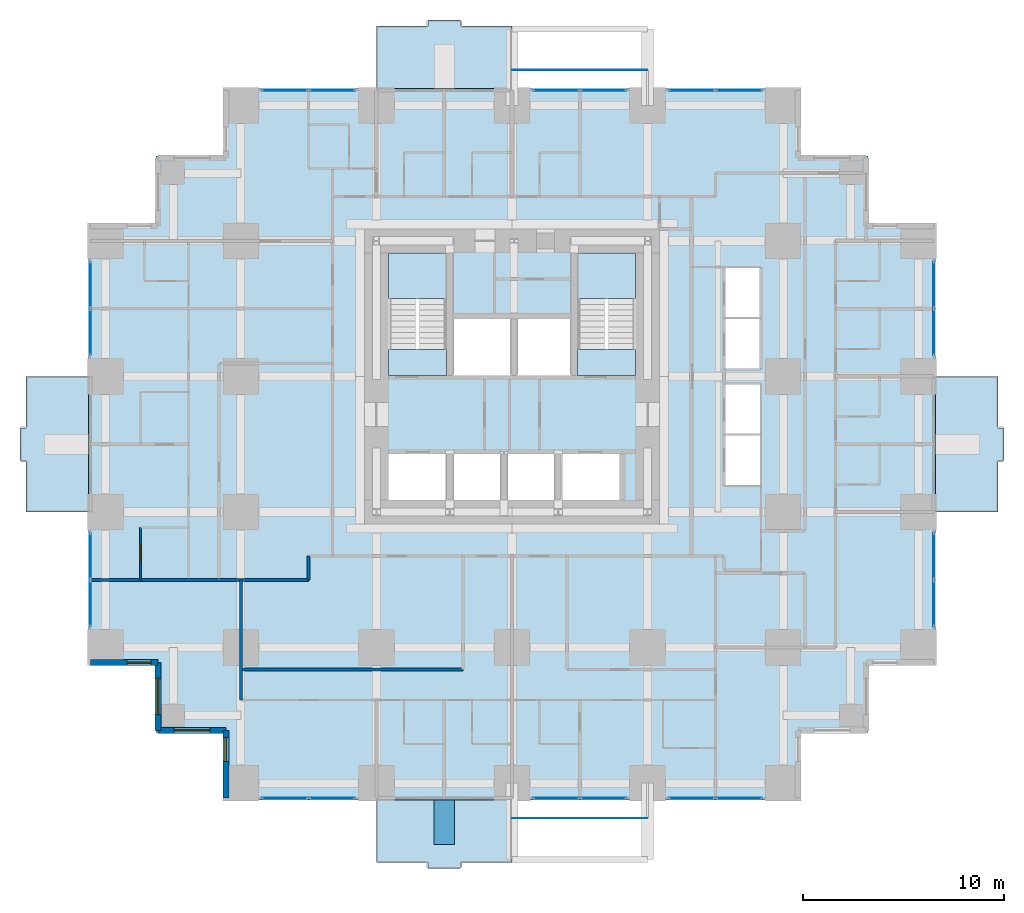
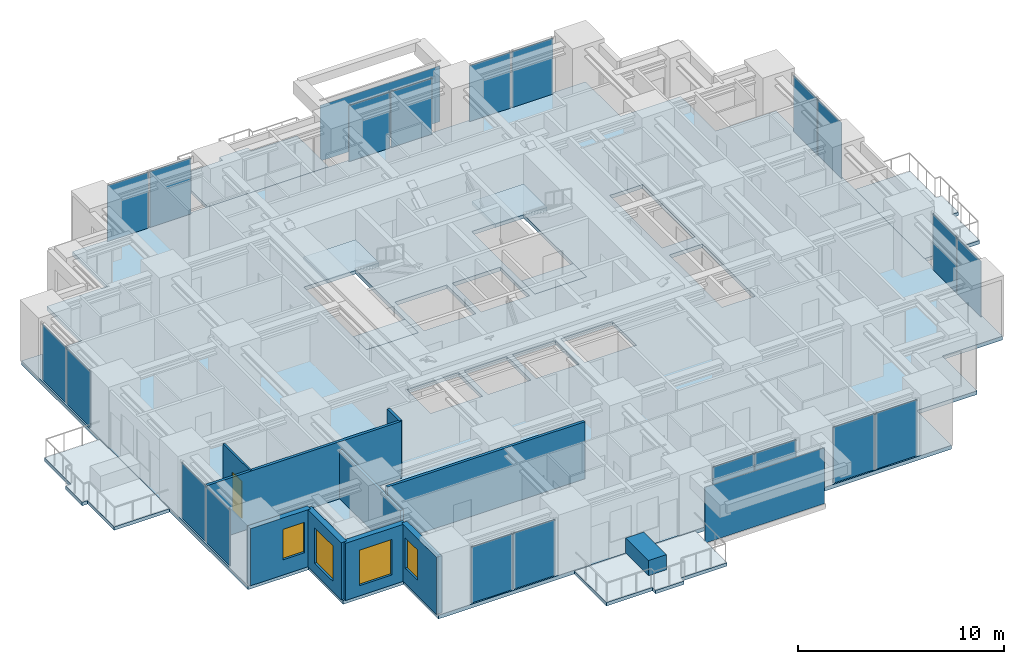
# One storey, part 6 of 13: 22 plates, 10 walls, 9 slabs, 4 windows, 1 door, 5 openings, 12 elements without a shape of their own.
"""IFC4 building model written with IfcOpenShell, lengths in metres."""

from ifc_helpers import new_model, si_unit, direction, frame, frame_2d, origin, origin_2d, place, context, subcontext, project, spatial, polyline, rectangle, outline, extrude, material, layer, layer_set, type_object, element, fill, aggregate, save


model = new_model("IFC4")

# Units and contexts
model_context = context("Model", 3, precision=1e-05, world=origin(), true_north=direction((0.0, 1.0)))
body_context = subcontext(model_context, "Body", "Model", "MODEL_VIEW")
ifc_project = project(units=[si_unit("LENGTHUNIT", "METRE"), si_unit("AREAUNIT", "SQUARE_METRE"), si_unit("VOLUMEUNIT", "CUBIC_METRE"), si_unit("PLANEANGLEUNIT", "RADIAN"), si_unit("MASSUNIT", "GRAM", prefix="KILO")], contexts=[model_context])

# Site, building, storey
site_placement = place(None, origin())
site = spatial("IfcSite", under=ifc_project, at=site_placement, CompositionType="ELEMENT")
building_placement = place(site_placement, origin())
building = spatial("IfcBuilding", under=site, at=building_placement, Name="Nyansa Garden Tower", CompositionType="ELEMENT")
storey_placement = place(building_placement, frame((0.0, 0.0, 101.699951171875)))
storey = spatial("IfcBuildingStorey", under=building, at=storey_placement, Name="L27", CompositionType="ELEMENT", Elevation=101.699951171875)

# Slabs
ifc_material_1 = material(Name="Concrete C40/50", Category="concrete")
ifc_layer_1 = layer(ifc_material_1, 0.199951171875)
ifc_layer_set_1 = layer_set([ifc_layer_1], Name="Balcony slab BS200")
slab_type_1 = type_object("IfcSlabType", Name="Balcony slab BS200", PredefinedType="FLOOR", material=ifc_layer_set_1)
slab_1_placement = place(storey_placement, frame((0.0, 0.0, -0.239990234375)))
element("IfcSlab", 1, at=slab_1_placement, inside=storey, type_object=slab_type_1, Name="Balcony L27 S", PredefinedType="FLOOR", context=body_context, shape_type="SweptSolid", body=[
    extrude(outline(polyline([(13.5, -0.85009765625), (20.25, -0.85009765625), (20.25, -3.949951171875), (17.675048828125, -3.949951171875), (17.675048828125, -4.25), (16.074951171875, -4.25), (16.074951171875, -3.949951171875), (13.5, -3.949951171875), (13.5, -0.85009765625)])), origin(), (0.0, 0.0, 1.0), 0.199951171875),
])
slab_2_placement = place(storey_placement, frame((0.0, 0.0, -0.239990234375)))
element("IfcSlab", 2, at=slab_2_placement, inside=storey, type_object=slab_type_1, Name="Balcony L27 E", PredefinedType="FLOOR", context=body_context, shape_type="SweptSolid", body=[
    extrude(outline(polyline([(41.35009765625, 13.5), (41.35009765625, 20.25), (44.449951171875, 20.25), (44.449951171875, 17.675048828125), (44.75, 17.675048828125), (44.75, 16.074951171875), (44.449951171875, 16.074951171875), (44.449951171875, 13.5), (41.35009765625, 13.5)])), origin(), (0.0, 0.0, 1.0), 0.199951171875),
])
slab_3_placement = place(storey_placement, frame((0.0, 0.0, -0.239990234375)))
element("IfcSlab", 3, at=slab_3_placement, inside=storey, type_object=slab_type_1, Name="Balcony L27 N", PredefinedType="FLOOR", context=body_context, shape_type="SweptSolid", body=[
    extrude(outline(polyline([(13.5, 34.60009765625), (20.25, 34.60009765625), (20.25, 37.699951171875), (17.675048828125, 37.699951171875), (17.675048828125, 38.0), (16.074951171875, 38.0), (16.074951171875, 37.699951171875), (13.5, 37.699951171875), (13.5, 34.60009765625)])), origin(), (0.0, 0.0, 1.0), 0.199951171875),
])
slab_4_placement = place(storey_placement, frame((0.0, 0.0, -0.239990234375)))
element("IfcSlab", 4, at=slab_4_placement, inside=storey, type_object=slab_type_1, Name="Balcony L27 W", PredefinedType="FLOOR", context=body_context, shape_type="SweptSolid", body=[
    extrude(outline(polyline([(-0.85009765625, 13.5), (-0.85009765625, 20.25), (-3.949951171875, 20.25), (-3.949951171875, 17.675048828125), (-4.25, 17.675048828125), (-4.25, 16.074951171875), (-3.949951171875, 16.074951171875), (-3.949951171875, 13.5), (-0.85009765625, 13.5)])), origin(), (0.0, 0.0, 1.0), 0.199951171875),
])

# Curtain wall, plates
ifc_material_2 = material(Name="Black anodised aluminium, dark tinted double glazing", Category="aluminium")
curtain_wall_type = type_object("IfcCurtainWallType", Name="Inner skin curtain wall ISW-B", PredefinedType="USERDEFINED", material=ifc_material_2)
curtain_wall_1_placement = place(storey_placement, origin())
curtain_wall_1 = element("IfcCurtainWall", 5, at=curtain_wall_1_placement, inside=storey, type_object=curtain_wall_type, Name="Inner skin curtain wall L27 E", ObjectType="UNITISED CURTAIN WALL", PredefinedType="USERDEFINED")
ifc_material_3 = material(Name="Dark tinted laminated double glazing", Category="glass")
ifc_layer_2 = layer(ifc_material_3, 0.035888671875)
ifc_layer_set_2 = layer_set([ifc_layer_2], Name="Dark tinted vision panel VP-B")
plate_type_1 = type_object("IfcPlateType", Name="Dark tinted vision panel VP-B", PredefinedType="CURTAIN_PANEL", material=ifc_layer_set_2)
plate_1_placement = place(storey_placement, frame((41.25, 8.94384765625, 0.0), z_axis=(0.0, 0.0, 1.0), x_axis=(0.0, 1.0, 0.0)))
plate_1 = element("IfcPlate", 6, at=plate_1_placement, type_object=plate_type_1, Name="ISW-B panel 1", PredefinedType="CURTAIN_PANEL", context=body_context, shape_type="SweptSolid", body=[
    extrude(rectangle(XDim=2.297607421875, YDim=0.035888671875, at=origin_2d()), origin(), (0.0, 0.0, 1.0), 3.31005859375),
])
plate_2_placement = place(storey_placement, frame((41.25, 11.30615234375, 0.0), z_axis=(0.0, 0.0, 1.0), x_axis=(0.0, 1.0, 0.0)))
plate_2 = element("IfcPlate", 7, at=plate_2_placement, type_object=plate_type_1, Name="ISW-B panel 2", PredefinedType="CURTAIN_PANEL", context=body_context, shape_type="SweptSolid", body=[
    extrude(rectangle(XDim=2.297607421875, YDim=0.035888671875, at=origin_2d()), origin(), (0.0, 0.0, 1.0), 3.31005859375),
])
aggregate(curtain_wall_1, [plate_1, plate_2])

curtain_wall_2_placement = place(storey_placement, origin())
curtain_wall_2 = element("IfcCurtainWall", 8, at=curtain_wall_2_placement, inside=storey, type_object=curtain_wall_type, Name="Inner skin curtain wall L27 E", ObjectType="UNITISED CURTAIN WALL", PredefinedType="USERDEFINED")
plate_3_placement = place(storey_placement, frame((41.25, 22.44384765625, 0.0), z_axis=(0.0, 0.0, 1.0), x_axis=(0.0, 1.0, 0.0)))
plate_3 = element("IfcPlate", 9, at=plate_3_placement, type_object=plate_type_1, Name="ISW-B panel 1", PredefinedType="CURTAIN_PANEL", context=body_context, shape_type="SweptSolid", body=[
    extrude(rectangle(XDim=2.297607421875, YDim=0.035888671875, at=origin_2d()), origin(), (0.0, 0.0, 1.0), 3.31005859375),
])
plate_4_placement = place(storey_placement, frame((41.25, 24.80615234375, 0.0), z_axis=(0.0, 0.0, 1.0), x_axis=(0.0, 1.0, 0.0)))
plate_4 = element("IfcPlate", 10, at=plate_4_placement, type_object=plate_type_1, Name="ISW-B panel 2", PredefinedType="CURTAIN_PANEL", context=body_context, shape_type="SweptSolid", body=[
    extrude(rectangle(XDim=2.297607421875, YDim=0.035888671875, at=origin_2d()), origin(), (0.0, 0.0, 1.0), 3.31005859375),
])
aggregate(curtain_wall_2, [plate_3, plate_4])

curtain_wall_3_placement = place(storey_placement, origin())
curtain_wall_3 = element("IfcCurtainWall", 11, at=curtain_wall_3_placement, inside=storey, type_object=curtain_wall_type, Name="Inner skin curtain wall L27 N", ObjectType="UNITISED CURTAIN WALL", PredefinedType="USERDEFINED")
plate_5_placement = place(storey_placement, frame((11.30615234375, 34.5, 0.0), z_axis=(0.0, 0.0, 1.0), x_axis=(-1.0, 0.0, 0.0)))
plate_5 = element("IfcPlate", 12, at=plate_5_placement, type_object=plate_type_1, Name="ISW-B panel 1", PredefinedType="CURTAIN_PANEL", context=body_context, shape_type="SweptSolid", body=[
    extrude(rectangle(XDim=2.297607421875, YDim=0.035888671875, at=origin_2d()), origin(), (0.0, 0.0, 1.0), 3.31005859375),
])
plate_6_placement = place(storey_placement, frame((8.94384765625, 34.5, 0.0), z_axis=(0.0, 0.0, 1.0), x_axis=(-1.0, 0.0, 0.0)))
plate_6 = element("IfcPlate", 13, at=plate_6_placement, type_object=plate_type_1, Name="ISW-B panel 2", PredefinedType="CURTAIN_PANEL", context=body_context, shape_type="SweptSolid", body=[
    extrude(rectangle(XDim=2.297607421875, YDim=0.035888671875, at=origin_2d()), origin(), (0.0, 0.0, 1.0), 3.31005859375),
])
aggregate(curtain_wall_3, [plate_5, plate_6])

curtain_wall_4_placement = place(storey_placement, origin())
curtain_wall_4 = element("IfcCurtainWall", 14, at=curtain_wall_4_placement, inside=storey, type_object=curtain_wall_type, Name="Inner skin curtain wall L27 N", ObjectType="UNITISED CURTAIN WALL", PredefinedType="USERDEFINED")
plate_7_placement = place(storey_placement, frame((31.55615234375, 34.5, 0.0), z_axis=(0.0, 0.0, 1.0), x_axis=(-1.0, 0.0, 0.0)))
plate_7 = element("IfcPlate", 15, at=plate_7_placement, type_object=plate_type_1, Name="ISW-B panel 1", PredefinedType="CURTAIN_PANEL", context=body_context, shape_type="SweptSolid", body=[
    extrude(rectangle(XDim=2.297607421875, YDim=0.035888671875, at=origin_2d()), origin(), (0.0, 0.0, 1.0), 3.31005859375),
])
plate_8_placement = place(storey_placement, frame((29.19384765625, 34.5, 0.0), z_axis=(0.0, 0.0, 1.0), x_axis=(-1.0, 0.0, 0.0)))
plate_8 = element("IfcPlate", 16, at=plate_8_placement, type_object=plate_type_1, Name="ISW-B panel 2", PredefinedType="CURTAIN_PANEL", context=body_context, shape_type="SweptSolid", body=[
    extrude(rectangle(XDim=2.297607421875, YDim=0.035888671875, at=origin_2d()), origin(), (0.0, 0.0, 1.0), 3.31005859375),
])
aggregate(curtain_wall_4, [plate_7, plate_8])

curtain_wall_5_placement = place(storey_placement, origin())
curtain_wall_5 = element("IfcCurtainWall", 17, at=curtain_wall_5_placement, inside=storey, type_object=curtain_wall_type, Name="Inner skin curtain wall L27 N", ObjectType="UNITISED CURTAIN WALL", PredefinedType="USERDEFINED")
plate_9_placement = place(storey_placement, frame((24.80615234375, 34.5, 0.0), z_axis=(0.0, 0.0, 1.0), x_axis=(-1.0, 0.0, 0.0)))
plate_9 = element("IfcPlate", 18, at=plate_9_placement, type_object=plate_type_1, Name="ISW-B panel 1", PredefinedType="CURTAIN_PANEL", context=body_context, shape_type="SweptSolid", body=[
    extrude(rectangle(XDim=2.297607421875, YDim=0.035888671875, at=origin_2d()), origin(), (0.0, 0.0, 1.0), 3.31005859375),
])
plate_10_placement = place(storey_placement, frame((22.44384765625, 34.5, 0.0), z_axis=(0.0, 0.0, 1.0), x_axis=(-1.0, 0.0, 0.0)))
plate_10 = element("IfcPlate", 19, at=plate_10_placement, type_object=plate_type_1, Name="ISW-B panel 2", PredefinedType="CURTAIN_PANEL", context=body_context, shape_type="SweptSolid", body=[
    extrude(rectangle(XDim=2.297607421875, YDim=0.035888671875, at=origin_2d()), origin(), (0.0, 0.0, 1.0), 3.31005859375),
])
aggregate(curtain_wall_5, [plate_9, plate_10])

curtain_wall_6_placement = place(storey_placement, origin())
curtain_wall_6 = element("IfcCurtainWall", 20, at=curtain_wall_6_placement, inside=storey, type_object=curtain_wall_type, Name="Inner skin curtain wall L27 W", ObjectType="UNITISED CURTAIN WALL", PredefinedType="USERDEFINED")
plate_11_placement = place(storey_placement, frame((-0.75, 11.30615234375, 0.0), z_axis=(0.0, 0.0, 1.0), x_axis=(0.0, -1.0, 0.0)))
plate_11 = element("IfcPlate", 21, at=plate_11_placement, type_object=plate_type_1, Name="ISW-B panel 1", PredefinedType="CURTAIN_PANEL", context=body_context, shape_type="SweptSolid", body=[
    extrude(rectangle(XDim=2.297607421875, YDim=0.035888671875, at=origin_2d()), origin(), (0.0, 0.0, 1.0), 3.31005859375),
])
plate_12_placement = place(storey_placement, frame((-0.75, 8.94384765625, 0.0), z_axis=(0.0, 0.0, 1.0), x_axis=(0.0, -1.0, 0.0)))
plate_12 = element("IfcPlate", 22, at=plate_12_placement, type_object=plate_type_1, Name="ISW-B panel 2", PredefinedType="CURTAIN_PANEL", context=body_context, shape_type="SweptSolid", body=[
    extrude(rectangle(XDim=2.297607421875, YDim=0.035888671875, at=origin_2d()), origin(), (0.0, 0.0, 1.0), 3.31005859375),
])
aggregate(curtain_wall_6, [plate_11, plate_12])

curtain_wall_7_placement = place(storey_placement, origin())
curtain_wall_7 = element("IfcCurtainWall", 23, at=curtain_wall_7_placement, inside=storey, type_object=curtain_wall_type, Name="Inner skin curtain wall L27 W", ObjectType="UNITISED CURTAIN WALL", PredefinedType="USERDEFINED")
plate_13_placement = place(storey_placement, frame((-0.75, 24.80615234375, 0.0), z_axis=(0.0, 0.0, 1.0), x_axis=(0.0, -1.0, 0.0)))
plate_13 = element("IfcPlate", 24, at=plate_13_placement, type_object=plate_type_1, Name="ISW-B panel 1", PredefinedType="CURTAIN_PANEL", context=body_context, shape_type="SweptSolid", body=[
    extrude(rectangle(XDim=2.297607421875, YDim=0.035888671875, at=origin_2d()), origin(), (0.0, 0.0, 1.0), 3.31005859375),
])
plate_14_placement = place(storey_placement, frame((-0.75, 22.44384765625, 0.0), z_axis=(0.0, 0.0, 1.0), x_axis=(0.0, -1.0, 0.0)))
plate_14 = element("IfcPlate", 25, at=plate_14_placement, type_object=plate_type_1, Name="ISW-B panel 2", PredefinedType="CURTAIN_PANEL", context=body_context, shape_type="SweptSolid", body=[
    extrude(rectangle(XDim=2.297607421875, YDim=0.035888671875, at=origin_2d()), origin(), (0.0, 0.0, 1.0), 3.31005859375),
])
aggregate(curtain_wall_7, [plate_13, plate_14])

curtain_wall_8_placement = place(storey_placement, origin())
curtain_wall_8 = element("IfcCurtainWall", 26, at=curtain_wall_8_placement, inside=storey, type_object=curtain_wall_type, Name="Inner skin curtain wall L27 S", ObjectType="UNITISED CURTAIN WALL", PredefinedType="USERDEFINED")
plate_15_placement = place(storey_placement, frame((8.94384765625, -0.75, 0.0), z_axis=(0.0, 0.0, 1.0), x_axis=(1.0, 0.0, 0.0)))
plate_15 = element("IfcPlate", 27, at=plate_15_placement, type_object=plate_type_1, Name="ISW-B panel 1", PredefinedType="CURTAIN_PANEL", context=body_context, shape_type="SweptSolid", body=[
    extrude(rectangle(XDim=2.297607421875, YDim=0.035888671875, at=origin_2d()), origin(), (0.0, 0.0, 1.0), 3.31005859375),
])
plate_16_placement = place(storey_placement, frame((11.30615234375, -0.75, 0.0), z_axis=(0.0, 0.0, 1.0), x_axis=(1.0, 0.0, 0.0)))
plate_16 = element("IfcPlate", 28, at=plate_16_placement, type_object=plate_type_1, Name="ISW-B panel 2", PredefinedType="CURTAIN_PANEL", context=body_context, shape_type="SweptSolid", body=[
    extrude(rectangle(XDim=2.297607421875, YDim=0.035888671875, at=origin_2d()), origin(), (0.0, 0.0, 1.0), 3.31005859375),
])
aggregate(curtain_wall_8, [plate_15, plate_16])

curtain_wall_9_placement = place(storey_placement, origin())
curtain_wall_9 = element("IfcCurtainWall", 29, at=curtain_wall_9_placement, inside=storey, type_object=curtain_wall_type, Name="Inner skin curtain wall L27 S", ObjectType="UNITISED CURTAIN WALL", PredefinedType="USERDEFINED")
plate_17_placement = place(storey_placement, frame((22.44384765625, -0.75, 0.0), z_axis=(0.0, 0.0, 1.0), x_axis=(1.0, 0.0, 0.0)))
plate_17 = element("IfcPlate", 30, at=plate_17_placement, type_object=plate_type_1, Name="ISW-B panel 1", PredefinedType="CURTAIN_PANEL", context=body_context, shape_type="SweptSolid", body=[
    extrude(rectangle(XDim=2.297607421875, YDim=0.035888671875, at=origin_2d()), origin(), (0.0, 0.0, 1.0), 3.31005859375),
])
plate_18_placement = place(storey_placement, frame((24.80615234375, -0.75, 0.0), z_axis=(0.0, 0.0, 1.0), x_axis=(1.0, 0.0, 0.0)))
plate_18 = element("IfcPlate", 31, at=plate_18_placement, type_object=plate_type_1, Name="ISW-B panel 2", PredefinedType="CURTAIN_PANEL", context=body_context, shape_type="SweptSolid", body=[
    extrude(rectangle(XDim=2.297607421875, YDim=0.035888671875, at=origin_2d()), origin(), (0.0, 0.0, 1.0), 3.31005859375),
])
aggregate(curtain_wall_9, [plate_17, plate_18])

curtain_wall_10_placement = place(storey_placement, origin())
curtain_wall_10 = element("IfcCurtainWall", 32, at=curtain_wall_10_placement, inside=storey, type_object=curtain_wall_type, Name="Inner skin curtain wall L27 S", ObjectType="UNITISED CURTAIN WALL", PredefinedType="USERDEFINED")
plate_19_placement = place(storey_placement, frame((29.19384765625, -0.75, 0.0), z_axis=(0.0, 0.0, 1.0), x_axis=(1.0, 0.0, 0.0)))
plate_19 = element("IfcPlate", 33, at=plate_19_placement, type_object=plate_type_1, Name="ISW-B panel 1", PredefinedType="CURTAIN_PANEL", context=body_context, shape_type="SweptSolid", body=[
    extrude(rectangle(XDim=2.297607421875, YDim=0.035888671875, at=origin_2d()), origin(), (0.0, 0.0, 1.0), 3.31005859375),
])
plate_20_placement = place(storey_placement, frame((31.55615234375, -0.75, 0.0), z_axis=(0.0, 0.0, 1.0), x_axis=(1.0, 0.0, 0.0)))
plate_20 = element("IfcPlate", 34, at=plate_20_placement, type_object=plate_type_1, Name="ISW-B panel 2", PredefinedType="CURTAIN_PANEL", context=body_context, shape_type="SweptSolid", body=[
    extrude(rectangle(XDim=2.297607421875, YDim=0.035888671875, at=origin_2d()), origin(), (0.0, 0.0, 1.0), 3.31005859375),
])
aggregate(curtain_wall_10, [plate_19, plate_20])

# Slab
ifc_material_4 = material(Name="Concrete C40/50", Category="concrete")
ifc_layer_3 = layer(ifc_material_4, 0.22509765625)
ifc_layer_set_3 = layer_set([ifc_layer_3], Name="Floor slab FS225")
slab_type_2 = type_object("IfcSlabType", Name="Floor slab FS225", PredefinedType="FLOOR", material=ifc_layer_set_3)
slab_5_placement = place(storey_placement, frame((0.0, 0.0, -0.224853515625)))
element("IfcSlab", 35, at=slab_5_placement, inside=storey, type_object=slab_type_2, Name="Floor slab L27", PredefinedType="FLOOR", context=body_context, shape_type="SweptSolid", body=[
    extrude(outline(polyline([(41.35009765625, 5.89990234375), (37.97509765625, 5.89990234375), (37.97509765625, 2.52490234375), (34.60009765625, 2.52490234375), (34.60009765625, -0.85009765625), (5.89990234375, -0.85009765625), (5.89990234375, 2.52490234375), (2.52490234375, 2.52490234375), (2.52490234375, 5.89990234375), (-0.85009765625, 5.89990234375), (-0.85009765625, 27.85009765625), (2.52490234375, 27.85009765625), (2.52490234375, 31.22509765625), (5.89990234375, 31.22509765625), (5.89990234375, 34.60009765625), (34.60009765625, 34.60009765625), (34.60009765625, 31.22509765625), (37.97509765625, 31.22509765625), (37.97509765625, 27.85009765625), (41.35009765625, 27.85009765625), (41.35009765625, 5.89990234375)]), holes=[polyline([(14.10009765625, 14.10009765625), (17.0, 14.10009765625), (17.0, 16.39990234375), (14.10009765625, 16.39990234375), (14.10009765625, 14.10009765625)]), polyline([(17.300048828125, 14.10009765625), (19.699951171875, 14.10009765625), (19.699951171875, 16.39990234375), (17.300048828125, 16.39990234375), (17.300048828125, 14.10009765625)]), polyline([(20.0, 14.10009765625), (22.39990234375, 14.10009765625), (22.39990234375, 16.39990234375), (20.0, 16.39990234375), (20.0, 14.10009765625)]), polyline([(22.699951171875, 14.10009765625), (25.60009765625, 14.10009765625), (25.60009765625, 16.39990234375), (22.699951171875, 16.39990234375), (22.699951171875, 14.10009765625)]), polyline([(17.300048828125, 20.300048828125), (20.199951171875, 20.300048828125), (20.199951171875, 23.10009765625), (17.300048828125, 23.10009765625), (17.300048828125, 20.300048828125)]), polyline([(20.5, 20.300048828125), (23.199951171875, 20.300048828125), (23.199951171875, 23.10009765625), (20.5, 23.10009765625), (20.5, 20.300048828125)]), polyline([(30.800048828125, 14.800048828125), (32.64990234375, 14.800048828125), (32.64990234375, 19.89990234375), (30.800048828125, 19.89990234375), (30.800048828125, 14.800048828125)]), polyline([(30.800048828125, 20.60009765625), (32.64990234375, 20.60009765625), (32.64990234375, 25.699951171875), (30.800048828125, 25.699951171875), (30.800048828125, 20.60009765625)]), polyline([(14.10009765625, 20.300048828125), (17.0, 20.300048828125), (17.0, 26.39990234375), (14.10009765625, 26.39990234375), (14.10009765625, 20.300048828125)]), polyline([(23.5, 20.300048828125), (26.39990234375, 20.300048828125), (26.39990234375, 26.39990234375), (23.5, 26.39990234375), (23.5, 20.300048828125)])]), origin(), (0.0, 0.0, 1.0), 0.224853515625),
])

# Plates
ifc_material_5 = material(Name="Dark tinted laminated glass", Category="glass")
ifc_layer_4 = layer(ifc_material_5, 0.02392578125)
ifc_layer_set_4 = layer_set([ifc_layer_4], Name="Outer skin glass panel OS1")
plate_type_2 = type_object("IfcPlateType", Name="Outer skin glass panel OS1", PredefinedType="USERDEFINED", material=ifc_layer_set_4)
for number, where, z_axis, x_axis, name in (
    (36, (23.625, 35.5, -0.22509765625), (0.0, 0.0, 1.0), (1.0, 0.0, 0.0), "Outer skin glass panel L27"),
    (37, (23.625, -1.75, -0.22509765625), (0.0, 0.0, 1.0), (1.0, 0.0, 0.0), "Outer skin glass panel L27"),
):
    element("IfcPlate", number, at=place(storey_placement, frame(where, z_axis=z_axis, x_axis=x_axis)), inside=storey, type_object=plate_type_2, Name=name, ObjectType="OUTER SKIN GLASS", PredefinedType="USERDEFINED", context=body_context, shape_type="SweptSolid", body=[
        extrude(rectangle(XDim=6.7099609375, YDim=0.02392578125, at=origin_2d()), origin(), (0.0, 0.0, 1.0), 3.300048828125),
    ])

# Stair, slabs
ifc_material_6 = material(Name="Precast concrete C40/50", Category="concrete")
stair_type_1 = type_object("IfcStairType", Name="Stair S1 180x280", PredefinedType="HALF_TURN_STAIR", material=ifc_material_6)
stair_1_placement = place(storey_placement, origin())
stair_1 = element("IfcStair", 38, at=stair_1_placement, inside=storey, type_object=stair_type_1, Name="Stair S1 L27", PredefinedType="HALF_TURN_STAIR")
ifc_material_7 = material(Name="Concrete C40/50", Category="concrete")
ifc_layer_5 = layer(ifc_material_7, 0.199951171875)
ifc_layer_set_5 = layer_set([ifc_layer_5], Name="Stair landing SL200")
slab_type_3 = type_object("IfcSlabType", Name="Stair landing SL200", PredefinedType="LANDING", material=ifc_layer_set_5)
slab_6_placement = place(storey_placement, frame((0.0, 0.0, -0.199951171875)))
slab_6 = element("IfcSlab", 39, at=slab_6_placement, type_object=slab_type_3, Name="S1 landing 1", PredefinedType="LANDING", context=body_context, shape_type="SweptSolid", body=[
    extrude(outline(polyline([(14.10009765625, 20.300048828125), (17.0, 20.300048828125), (17.0, 21.60009765625), (14.10009765625, 21.60009765625), (14.10009765625, 20.300048828125)])), origin(), (0.0, 0.0, 1.0), 0.199951171875),
])
slab_7_placement = place(storey_placement, frame((0.0, 0.0, 1.60009765625)))
slab_7 = element("IfcSlab", 40, at=slab_7_placement, type_object=slab_type_3, Name="S1 landing 2", PredefinedType="LANDING", context=body_context, shape_type="SweptSolid", body=[
    extrude(outline(polyline([(14.10009765625, 24.1201171875), (17.0, 24.1201171875), (17.0, 26.39990234375), (14.10009765625, 26.39990234375), (14.10009765625, 24.1201171875)])), origin(), (0.0, 0.0, 1.0), 0.199951171875),
])
aggregate(stair_1, [slab_6, slab_7])

ifc_material_8 = material(Name="Precast concrete C40/50", Category="concrete")
stair_type_2 = type_object("IfcStairType", Name="Stair S2 180x280", PredefinedType="HALF_TURN_STAIR", material=ifc_material_8)
stair_2_placement = place(storey_placement, origin())
stair_2 = element("IfcStair", 41, at=stair_2_placement, inside=storey, type_object=stair_type_2, Name="Stair S2 L27", PredefinedType="HALF_TURN_STAIR")
slab_8_placement = place(storey_placement, frame((0.0, 0.0, -0.199951171875)))
slab_8 = element("IfcSlab", 42, at=slab_8_placement, type_object=slab_type_3, Name="S2 landing 1", PredefinedType="LANDING", context=body_context, shape_type="SweptSolid", body=[
    extrude(outline(polyline([(23.5, 20.300048828125), (26.39990234375, 20.300048828125), (26.39990234375, 21.60009765625), (23.5, 21.60009765625), (23.5, 20.300048828125)])), origin(), (0.0, 0.0, 1.0), 0.199951171875),
])
slab_9_placement = place(storey_placement, frame((0.0, 0.0, 1.60009765625)))
slab_9 = element("IfcSlab", 43, at=slab_9_placement, type_object=slab_type_3, Name="S2 landing 2", PredefinedType="LANDING", context=body_context, shape_type="SweptSolid", body=[
    extrude(outline(polyline([(23.5, 24.1201171875), (26.39990234375, 24.1201171875), (26.39990234375, 26.39990234375), (23.5, 26.39990234375), (23.5, 24.1201171875)])), origin(), (0.0, 0.0, 1.0), 0.199951171875),
])
aggregate(stair_2, [slab_8, slab_9])

# Walls
ifc_material_9 = material(Name="Blockwork, plastered both sides", Category="masonry")
ifc_layer_6 = layer(ifc_material_9, 0.14990234375)
ifc_layer_set_6 = layer_set([ifc_layer_6], Name="Partition PW150")
wall_type_1 = type_object("IfcWallType", Name="Partition PW150", PredefinedType="PARTITIONING", material=ifc_layer_set_6)
wall_1_placement = place(storey_placement, frame((-0.73388671875, 10.125, 0.0), z_axis=(0.0, 0.0, 1.0), x_axis=(1.0, 0.0, 0.0)))
element("IfcWall", 44, at=wall_1_placement, inside=storey, type_object=wall_type_1, Name="Partition", PredefinedType="PARTITIONING", context=body_context, shape_type="SweptSolid", body=[
    extrude(rectangle(XDim=10.85888671875, YDim=0.14990234375, at=frame_2d((5.429443359375, 0.0))), origin(), (0.0, 0.0, 1.0), 3.375),
])
wall_2_placement = place(storey_placement, frame((6.75, 4.14990234375, 0.0), z_axis=(0.0, 0.0, 1.0), x_axis=(0.0, 1.0, 0.0)))
element("IfcWall", 45, at=wall_2_placement, inside=storey, type_object=wall_type_1, Name="Partition", PredefinedType="PARTITIONING", context=body_context, shape_type="SweptSolid", body=[
    extrude(rectangle(XDim=5.97509765625, YDim=0.14990234375, at=frame_2d((2.987548828125, 0.0))), origin(), (0.0, 0.0, 1.0), 2.876953125),
])
wall_3_placement = place(storey_placement, frame((6.75, 5.64990234375, 0.0), z_axis=(0.0, 0.0, 1.0), x_axis=(1.0, 0.0, 0.0)))
element("IfcWall", 46, at=wall_3_placement, inside=storey, type_object=wall_type_1, Name="Partition", PredefinedType="PARTITIONING", context=body_context, shape_type="SweptSolid", body=[
    extrude(rectangle(XDim=11.050048828125, YDim=0.14990234375, at=frame_2d((5.52490234375, 0.0))), origin(), (0.0, 0.0, 1.0), 3.375),
])
wall_4_placement = place(storey_placement, frame((10.125, 10.125, 0.0), z_axis=(0.0, 0.0, 1.0), x_axis=(0.0, 1.0, 0.0)))
element("IfcWall", 47, at=wall_4_placement, inside=storey, type_object=wall_type_1, Name="Partition", PredefinedType="PARTITIONING", context=body_context, shape_type="SweptSolid", body=[
    extrude(rectangle(XDim=1.175048828125, YDim=0.14990234375, at=frame_2d((0.58740234375, 0.0))), origin(), (0.0, 0.0, 1.0), 3.375),
])

# Wall, opening, window
ifc_material_10 = material(Name="Turquoise glazed tile on concrete blockwork", Category="masonry")
ifc_layer_7 = layer(ifc_material_10, 0.300048828125)
ifc_layer_set_7 = layer_set([ifc_layer_7], Name="Tiled corner wall TW300")
wall_type_2 = type_object("IfcWallType", Name="Tiled corner wall TW300", PredefinedType="SOLIDWALL", material=ifc_layer_set_7)
wall_5_placement = place(storey_placement, frame((-0.75, 6.0, 0.0), z_axis=(0.0, 0.0, 1.0), x_axis=(1.0, 0.0, 0.0)))
wall_5 = element("IfcWall", 48, at=wall_5_placement, inside=storey, type_object=wall_type_2, Name="Tiled corner wall L27", PredefinedType="SOLIDWALL", context=body_context, shape_type="SweptSolid", body=[
    extrude(rectangle(XDim=3.375, YDim=0.300048828125, at=frame_2d((1.6875, 0.0))), origin(), (0.0, 0.0, 1.0), 3.375),
])
opening_1_placement = place(wall_5_placement, frame((1.83251953125, 0.0, 0.89990234375)))
opening_1 = element("IfcOpeningElement", 49, at=opening_1_placement, cuts=wall_5, Name="Opening W4", PredefinedType="OPENING", context=body_context, shape_type="SweptSolid", body=[
    extrude(rectangle(XDim=1.199951171875, YDim=1.800048828125, at=frame_2d((0.60009765625, 0.89990234375))), frame((0.0, 0.159912109375, 0.0), z_axis=(0.0, -1.0, 0.0), x_axis=(1.0, 0.0, 0.0)), (0.0, 0.0, 1.0), 0.320068359375),
])
ifc_material_11 = material(Name="Black aluminium frame, dark tinted double glazing", Category="aluminium")
window_type_1 = type_object("IfcWindowType", Name="Window W4 1200x1800", PartitioningType="SINGLE_PANEL", PredefinedType="WINDOW", material=ifc_material_11)
window_1_placement = place(opening_1_placement, origin())
window_1 = element("IfcWindow", 50, at=window_1_placement, inside=storey, type_object=window_type_1, Name="Corner window L27", OverallHeight=1.800048828125, OverallWidth=1.199951171875, PartitioningType="SINGLE_PANEL", PredefinedType="WINDOW", context=body_context, shape_type="SweptSolid", body=[
    extrude(rectangle(XDim=1.199951171875, YDim=1.800048828125, at=frame_2d((0.60009765625, 0.89990234375))), frame((0.0, 0.030029296875, 0.0), z_axis=(0.0, -1.0, 0.0), x_axis=(1.0, 0.0, 0.0)), (0.0, 0.0, 1.0), 0.06005859375),
])
fill(opening_1, window_1)

wall_6_placement = place(storey_placement, frame((2.625, 6.0, 0.0), z_axis=(0.0, 0.0, 1.0), x_axis=(0.0, -1.0, 0.0)))
wall_6 = element("IfcWall", 51, at=wall_6_placement, inside=storey, type_object=wall_type_2, Name="Tiled corner wall L27", PredefinedType="SOLIDWALL", context=body_context, shape_type="SweptSolid", body=[
    extrude(rectangle(XDim=3.375, YDim=0.300048828125, at=frame_2d((1.6875, 0.0))), origin(), (0.0, 0.0, 1.0), 3.375),
])
opening_2_placement = place(wall_6_placement, frame((0.78759765625, 0.0, 0.60009765625)))
opening_2 = element("IfcOpeningElement", 52, at=opening_2_placement, cuts=wall_6, Name="Opening W2", PredefinedType="OPENING", context=body_context, shape_type="SweptSolid", body=[
    extrude(rectangle(XDim=1.800048828125, YDim=2.10009765625, at=frame_2d((0.89990234375, 1.050048828125))), frame((0.0, 0.159912109375, 0.0), z_axis=(0.0, -1.0, 0.0), x_axis=(1.0, 0.0, 0.0)), (0.0, 0.0, 1.0), 0.320068359375),
])
ifc_material_12 = material(Name="Black aluminium frame, dark tinted double glazing", Category="aluminium")
window_type_2 = type_object("IfcWindowType", Name="Window W2 1800x2100", PartitioningType="SINGLE_PANEL", PredefinedType="WINDOW", material=ifc_material_12)
window_2_placement = place(opening_2_placement, origin())
window_2 = element("IfcWindow", 53, at=window_2_placement, inside=storey, type_object=window_type_2, Name="Corner window L27", OverallHeight=2.10009765625, OverallWidth=1.800048828125, PartitioningType="SINGLE_PANEL", PredefinedType="WINDOW", context=body_context, shape_type="SweptSolid", body=[
    extrude(rectangle(XDim=1.800048828125, YDim=2.10009765625, at=frame_2d((0.89990234375, 1.050048828125))), frame((0.0, 0.030029296875, 0.0), z_axis=(0.0, -1.0, 0.0), x_axis=(1.0, 0.0, 0.0)), (0.0, 0.0, 1.0), 0.06005859375),
])
fill(opening_2, window_2)

wall_7_placement = place(storey_placement, frame((2.625, 2.625, 0.0), z_axis=(0.0, 0.0, 1.0), x_axis=(1.0, 0.0, 0.0)))
wall_7 = element("IfcWall", 54, at=wall_7_placement, inside=storey, type_object=wall_type_2, Name="Tiled corner wall L27", PredefinedType="SOLIDWALL", context=body_context, shape_type="SweptSolid", body=[
    extrude(rectangle(XDim=3.375, YDim=0.300048828125, at=frame_2d((1.6875, 0.0))), origin(), (0.0, 0.0, 1.0), 3.375),
])
opening_3_placement = place(wall_7_placement, frame((0.78759765625, 0.0, 0.60009765625)))
opening_3 = element("IfcOpeningElement", 55, at=opening_3_placement, cuts=wall_7, Name="Opening W2", PredefinedType="OPENING", context=body_context, shape_type="SweptSolid", body=[
    extrude(rectangle(XDim=1.800048828125, YDim=2.10009765625, at=frame_2d((0.89990234375, 1.050048828125))), frame((0.0, 0.159912109375, 0.0), z_axis=(0.0, -1.0, 0.0), x_axis=(1.0, 0.0, 0.0)), (0.0, 0.0, 1.0), 0.320068359375),
])
window_3_placement = place(opening_3_placement, origin())
window_3 = element("IfcWindow", 56, at=window_3_placement, inside=storey, type_object=window_type_2, Name="Corner window L27", OverallHeight=2.10009765625, OverallWidth=1.800048828125, PartitioningType="SINGLE_PANEL", PredefinedType="WINDOW", context=body_context, shape_type="SweptSolid", body=[
    extrude(rectangle(XDim=1.800048828125, YDim=2.10009765625, at=frame_2d((0.89990234375, 1.050048828125))), frame((0.0, 0.030029296875, 0.0), z_axis=(0.0, -1.0, 0.0), x_axis=(1.0, 0.0, 0.0)), (0.0, 0.0, 1.0), 0.06005859375),
])
fill(opening_3, window_3)

wall_8_placement = place(storey_placement, frame((6.0, 2.625, 0.0), z_axis=(0.0, 0.0, 1.0), x_axis=(0.0, -1.0, 0.0)))
wall_8 = element("IfcWall", 57, at=wall_8_placement, inside=storey, type_object=wall_type_2, Name="Tiled corner wall L27", PredefinedType="SOLIDWALL", context=body_context, shape_type="SweptSolid", body=[
    extrude(rectangle(XDim=3.375, YDim=0.300048828125, at=frame_2d((1.6875, 0.0))), origin(), (0.0, 0.0, 1.0), 3.375),
])
opening_4_placement = place(wall_8_placement, frame((0.342529296875, 0.0, 0.89990234375)))
opening_4 = element("IfcOpeningElement", 58, at=opening_4_placement, cuts=wall_8, Name="Opening W4", PredefinedType="OPENING", context=body_context, shape_type="SweptSolid", body=[
    extrude(rectangle(XDim=1.199951171875, YDim=1.800048828125, at=frame_2d((0.60009765625, 0.89990234375))), frame((0.0, 0.159912109375, 0.0), z_axis=(0.0, -1.0, 0.0), x_axis=(1.0, 0.0, 0.0)), (0.0, 0.0, 1.0), 0.320068359375),
])
window_4_placement = place(opening_4_placement, origin())
window_4 = element("IfcWindow", 59, at=window_4_placement, inside=storey, type_object=window_type_1, Name="Corner window L27", OverallHeight=1.800048828125, OverallWidth=1.199951171875, PartitioningType="SINGLE_PANEL", PredefinedType="WINDOW", context=body_context, shape_type="SweptSolid", body=[
    extrude(rectangle(XDim=1.199951171875, YDim=1.800048828125, at=frame_2d((0.60009765625, 0.89990234375))), frame((0.0, 0.030029296875, 0.0), z_axis=(0.0, -1.0, 0.0), x_axis=(1.0, 0.0, 0.0)), (0.0, 0.0, 1.0), 0.06005859375),
])
fill(opening_4, window_4)

# Wall
ifc_material_13 = material(Name="Concrete C40/50 planter, waterproofed", Category="concrete")
ifc_layer_8 = layer(ifc_material_13, 1.0)
ifc_layer_set_8 = layer_set([ifc_layer_8], Name="Tree planter TP1")
wall_type_3 = type_object("IfcWallType", Name="Tree planter TP1", PredefinedType="USERDEFINED", material=ifc_layer_set_8)
wall_9_placement = place(storey_placement, frame((16.875, -0.85009765625, 0.0), z_axis=(0.0, 0.0, 1.0), x_axis=(0.0, -1.0, 0.0)))
element("IfcWall", 60, at=wall_9_placement, inside=storey, type_object=wall_type_3, Name="Tree planter L27", ObjectType="TREE PLANTER", PredefinedType="USERDEFINED", context=body_context, shape_type="SweptSolid", body=[
    extrude(rectangle(XDim=2.199951171875, YDim=1.0, at=frame_2d((1.10009765625, 0.0))), origin(), (0.0, 0.0, 1.0), 0.900146484375),
])

# Wall, opening, door
ifc_material_14 = material(Name="Moisture resistant board on steel studs, tiled", Category="steel")
ifc_layer_9 = layer(ifc_material_14, 0.10009765625)
ifc_layer_set_9 = layer_set([ifc_layer_9], Name="Wet wall PW100")
wall_type_4 = type_object("IfcWallType", Name="Wet wall PW100", PredefinedType="PARTITIONING", material=ifc_layer_set_9)
wall_10_placement = place(storey_placement, frame((1.75, 10.125, 0.0), z_axis=(0.0, 0.0, 1.0), x_axis=(0.0, 1.0, 0.0)))
wall_10 = element("IfcWall", 61, at=wall_10_placement, inside=storey, type_object=wall_type_4, Name="Wet wall", PredefinedType="PARTITIONING", context=body_context, shape_type="SweptSolid", body=[
    extrude(rectangle(XDim=2.60009765625, YDim=0.10009765625, at=frame_2d((1.300048828125, 0.0))), origin(), (0.0, 0.0, 1.0), 3.375),
])
opening_5_placement = place(wall_10_placement, frame((0.85009765625, 0.0, 0.0)))
opening_5 = element("IfcOpeningElement", 62, at=opening_5_placement, cuts=wall_10, Name="Opening D02", PredefinedType="OPENING", context=body_context, shape_type="SweptSolid", body=[
    extrude(rectangle(XDim=0.89990234375, YDim=2.199951171875, at=frame_2d((0.449951171875, 1.10009765625))), frame((0.0, 0.06005859375, 0.0), z_axis=(0.0, -1.0, 0.0), x_axis=(1.0, 0.0, 0.0)), (0.0, 0.0, 1.0), 0.1201171875),
])
ifc_material_15 = material(Name="Timber flush door", Category="wood")
door_type = type_object("IfcDoorType", Name="En-suite door D02 900x2200", OperationType="SINGLE_SWING_RIGHT", PredefinedType="DOOR", material=ifc_material_15)
door_placement = place(opening_5_placement, origin())
door = element("IfcDoor", 63, at=door_placement, inside=storey, type_object=door_type, Name="Door L27-059", OperationType="SINGLE_SWING_RIGHT", OverallHeight=2.199951171875, OverallWidth=0.89990234375, PredefinedType="DOOR", context=body_context, shape_type="SweptSolid", body=[
    extrude(rectangle(XDim=0.89990234375, YDim=2.199951171875, at=frame_2d((0.449951171875, 1.10009765625))), frame((0.0, 0.02490234375, 0.0), z_axis=(0.0, -1.0, 0.0), x_axis=(1.0, 0.0, 0.0)), (0.0, 0.0, 1.0), 0.050048828125),
])
fill(opening_5, door)

save(model, "model.ifc")
